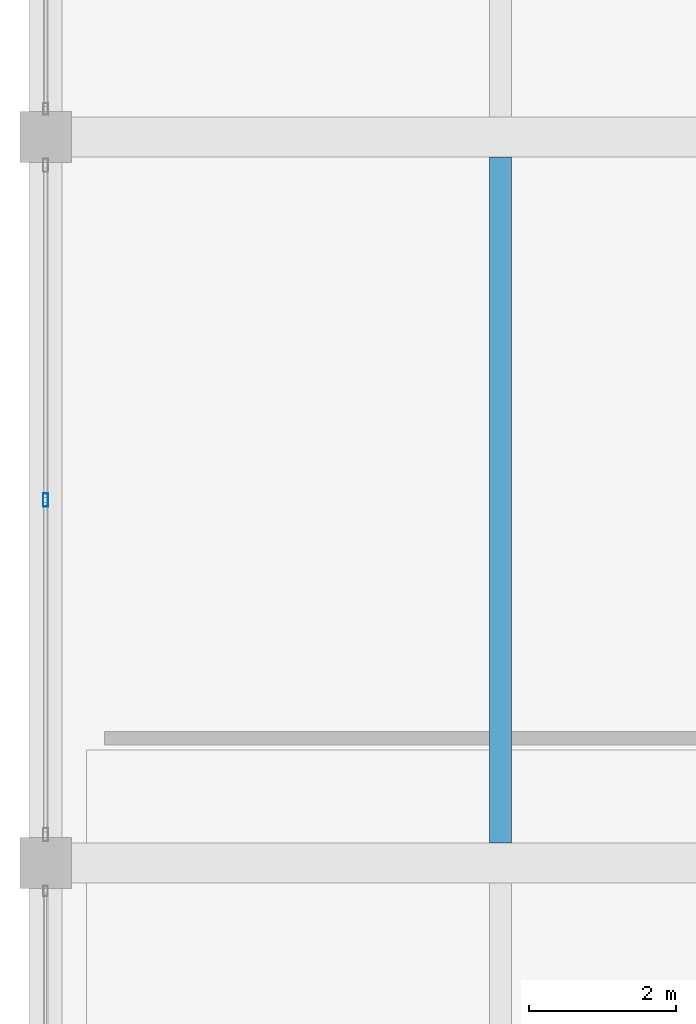
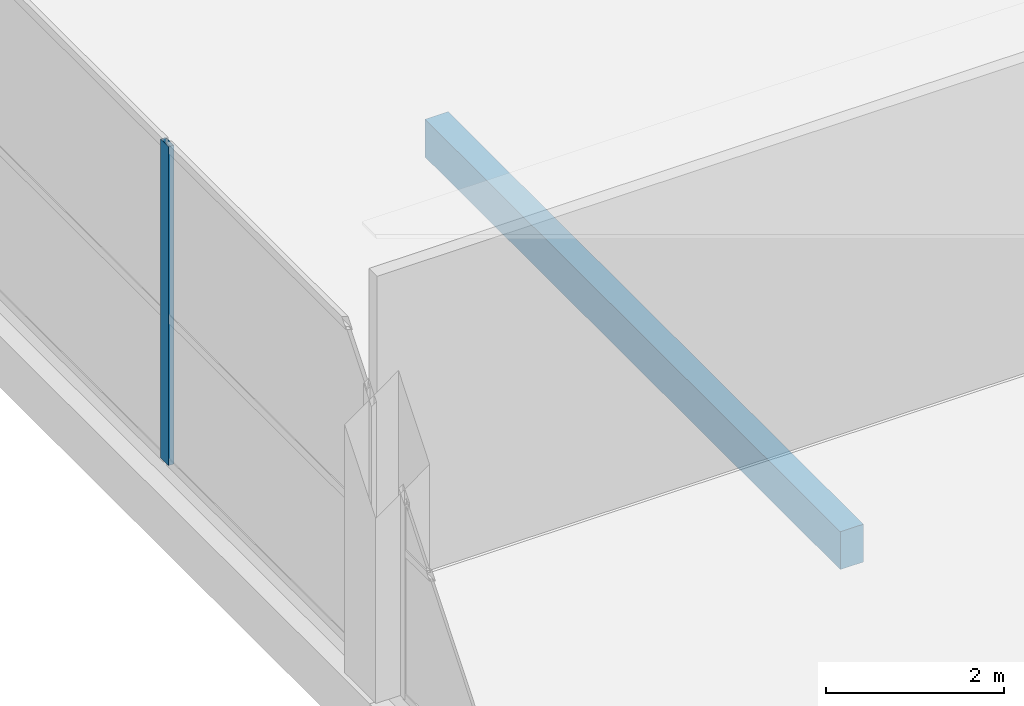
# One storey, part 18 of 72: 1 beam, 1 member, 1 element without a shape of its own.
"""IFC4 building model written with IfcOpenShell, lengths in metres."""

import ifcopenshell
import ifcopenshell.guid

model = None  # the IFC model being written
_history = None  # IfcOwnerHistory: only IFC2X3 demands one
_inside = {}  # id of a spatial element -> (the spatial element, [elements in it])
_under = {}  # id of a project, library or spatial element -> (it, [spatial elements below it])
_declared = {}  # id of a project -> (the project, [libraries it declares])
_typed = {}  # id of a type object -> (the type object, [elements of that type])
_made_of = {}  # id of a material, layer set ... -> (it, [elements and type objects made of it])


def new_model(schema):
    """Start an empty IFC model of exactly this schema.

    Asked for "IFC4X3", IfcOpenShell would pick the latest addendum, in which some entities
    have other attributes; the version numbers below select the first issue.
    IFC2X3 requires an IfcOwnerHistory on every rooted entity: one is made here for all.
    """
    global model, _history
    if schema == "IFC4X3":
        model = ifcopenshell.file(schema_version=(4, 3, 0, 0))
    else:
        model = ifcopenshell.file(schema=schema)
    _inside.clear()
    _under.clear()
    _declared.clear()
    _typed.clear()
    _made_of.clear()
    _history = None
    if model.schema == "IFC2X3":
        org = make("IfcOrganization", Name="unknown")
        user = make(
            "IfcPersonAndOrganization",
            ThePerson=make("IfcPerson", FamilyName="unknown"),
            TheOrganization=org,
        )
        app = make(
            "IfcApplication",
            ApplicationDeveloper=org,
            Version="unknown",
            ApplicationFullName="unknown",
            ApplicationIdentifier="unknown",
        )
        _history = make(
            "IfcOwnerHistory",
            OwningUser=user,
            OwningApplication=app,
            ChangeAction="ADDED",
            CreationDate=0,
        )
    return model


def make(cls, **values):
    """One entity of the class cls with the attributes given. An attribute that is None is left unset."""
    return model.create_entity(
        cls, **{name: value for name, value in values.items() if value is not None}
    )


def rooted(cls, **values):
    """An entity with a GlobalId (a new one), such as an element, a storey or a relation."""
    return make(cls, GlobalId=ifcopenshell.guid.new(), OwnerHistory=_history, **values)


def si_unit(unit_type, name, prefix=None):
    """IfcSIUnit, for example si_unit("LENGTHUNIT", "METRE", prefix="MILLI")."""
    return make("IfcSIUnit", UnitType=unit_type, Prefix=prefix, Name=name)


def assignment(units):
    """IfcUnitAssignment: the units of a project."""
    return None if units is None else make("IfcUnitAssignment", Units=units)


def point(xyz):
    """IfcCartesianPoint."""
    return None if xyz is None else make("IfcCartesianPoint", Coordinates=xyz)


def direction(xyz):
    """IfcDirection."""
    return None if xyz is None else make("IfcDirection", DirectionRatios=xyz)


def frame(location, z_axis=None, x_axis=None):
    """IfcAxis2Placement3D, a coordinate frame: its origin and axes. An axis left out is left unset."""
    return make(
        "IfcAxis2Placement3D",
        Location=point(location),
        Axis=direction(z_axis),
        RefDirection=direction(x_axis),
    )


def frame_2d(location, x_axis=None):
    """IfcAxis2Placement2D, a coordinate frame in the plane: its origin and x axis."""
    return make(
        "IfcAxis2Placement2D", Location=point(location), RefDirection=direction(x_axis)
    )


def origin():
    """The frame at (0, 0, 0) with its axes left unset."""
    return frame((0.0, 0.0, 0.0))


def origin_2d():
    """The frame at (0, 0) in the plane with its x axis left unset."""
    return frame_2d((0.0, 0.0))


def place(relative_to, where):
    """IfcLocalPlacement: puts the frame where relative to a parent placement (None: the world)."""
    return make(
        "IfcLocalPlacement", PlacementRelTo=relative_to, RelativePlacement=where
    )


def context(
    kind, dimensions, precision=None, world=None, true_north=None, identifier=None
):
    """IfcGeometricRepresentationContext, for example the 3D "Model" context."""
    return make(
        "IfcGeometricRepresentationContext",
        ContextIdentifier=identifier,
        ContextType=kind,
        CoordinateSpaceDimension=dimensions,
        Precision=precision,
        WorldCoordinateSystem=world,
        TrueNorth=true_north,
    )


def subcontext(parent, identifier, kind, view, scale=None):
    """IfcGeometricRepresentationSubContext, for example "Body" below "Model"."""
    return make(
        "IfcGeometricRepresentationSubContext",
        ContextIdentifier=identifier,
        ContextType=kind,
        ParentContext=parent,
        TargetScale=scale,
        TargetView=view,
    )


def project(units=None, contexts=None):
    """IfcProject with its units and contexts."""
    return rooted(
        "IfcProject",
        Name="project",
        RepresentationContexts=contexts,
        UnitsInContext=assignment(units),
    )


def spatial(cls, under=None, at=None, **own):
    """A site, building, storey or space (cls), placed at a placement, below another one or the project."""
    s = rooted(cls, ObjectPlacement=at, **own)
    if under is not None:
        _under.setdefault(under.id(), (under, []))[1].append(s)
    return s


def profile(cls, at=None, kind="AREA", **sizes):
    """A parametric profile (cls). Its sizes go by their IFC names, for example OverallWidth=200.0."""
    return make(cls, ProfileType=kind, Position=at, **sizes)


def rectangle(**sizes):
    """IfcRectangleProfileDef."""
    return profile("IfcRectangleProfileDef", **sizes)


def hollow_rectangle(**sizes):
    """IfcRectangleHollowProfileDef."""
    return profile("IfcRectangleHollowProfileDef", **sizes)


def extrude(swept, where, along, depth):
    """IfcExtrudedAreaSolid: the profile swept, set in the frame where, extruded along a direction by depth."""
    return make(
        "IfcExtrudedAreaSolid",
        SweptArea=swept,
        Position=where,
        ExtrudedDirection=direction(along),
        Depth=depth,
    )


def shape(context_of_items, identifier, shape_type, items):
    """IfcShapeRepresentation: the items that make up one representation, for example the "Body"."""
    return make(
        "IfcShapeRepresentation",
        ContextOfItems=context_of_items,
        RepresentationIdentifier=identifier,
        RepresentationType=shape_type,
        Items=items,
    )


def material(Name=None, Category=None):
    """IfcMaterial."""
    return make("IfcMaterial", Name=Name, Category=Category)


def layer(
    of_material, thickness, ventilated=None, Name=None, Category=None, Priority=None
):
    """IfcMaterialLayer: one layer of a wall or slab, of a material (None: an air gap)."""
    return make(
        "IfcMaterialLayer",
        Material=of_material,
        LayerThickness=thickness,
        IsVentilated=ventilated,
        Name=Name,
        Category=Category,
        Priority=Priority,
    )


def layer_set(layers, Name=None):
    """IfcMaterialLayerSet."""
    return make("IfcMaterialLayerSet", MaterialLayers=layers, LayerSetName=Name)


def material_profile(
    of_material, cross_section, Name=None, Category=None, Priority=None
):
    """IfcMaterialProfile: a cross section and its material."""
    return make(
        "IfcMaterialProfile",
        Name=Name,
        Material=of_material,
        Profile=cross_section,
        Priority=Priority,
        Category=Category,
    )


def profile_set(profiles, Name=None, composite=None):
    """IfcMaterialProfileSet."""
    return make(
        "IfcMaterialProfileSet",
        Name=Name,
        MaterialProfiles=profiles,
        CompositeProfile=composite,
    )


def made_of(thing, what):
    """Note that an element or type object is made of a material, layer set ...; save() writes the relation."""
    if what is not None:
        _made_of.setdefault(what.id(), (what, []))[1].append(thing)
    return thing


def type_object(cls, material=None, **own):
    """A type object (cls), such as IfcWallType, which elements share."""
    return made_of(rooted(cls, **own), material)


def element(
    cls,
    number,
    at=None,
    inside=None,
    cuts=None,
    type_object=None,
    material=None,
    context=None,
    identifier="Body",
    shape_type=None,
    held_by="IfcProductDefinitionShape",
    body=None,
    shapes=None,
    **own,
):
    """One element of the class cls, such as IfcWall. Its Tag is "e" and its number.

    at: its placement. inside: the storey or other place that contains it. cuts: it is an
    opening in that element (IfcRelVoidsElement). A single representation is given by context,
    identifier, shape_type and body (its items); several are given by shapes. held_by: the class
    of the entity that holds the representations. save() writes the other relations.
    """
    e = rooted(cls, Tag="e%d" % number, ObjectPlacement=at, **own)
    if body is not None:
        shapes = [shape(context, identifier, shape_type, body)]
    if shapes is not None:
        e.Representation = make(held_by, Representations=shapes)
    if inside is not None:
        _inside.setdefault(inside.id(), (inside, []))[1].append(e)
    if cuts is not None:
        rooted(
            "IfcRelVoidsElement", RelatingBuildingElement=cuts, RelatedOpeningElement=e
        )
    if type_object is not None:
        _typed.setdefault(type_object.id(), (type_object, []))[1].append(e)
    return made_of(e, material)


def aggregate(whole, parts):
    """IfcRelAggregates: a whole, such as a stair, and the parts it consists of."""
    return rooted("IfcRelAggregates", RelatingObject=whole, RelatedObjects=parts)


def save(model, path):
    """Write the relations noted so far, then the file.

    IfcRelAggregates (storeys below a building ...), IfcRelContainedInSpatialStructure (elements
    in a storey), IfcRelDefinesByType, IfcRelAssociatesMaterial and IfcRelDeclares: one each for
    every whole, place, type object, material and project.
    """
    for whole, parts in _under.values():
        aggregate(whole, parts)
    for where, things in _inside.values():
        rooted(
            "IfcRelContainedInSpatialStructure",
            RelatedElements=things,
            RelatingStructure=where,
        )
    for kind, things in _typed.values():
        rooted("IfcRelDefinesByType", RelatedObjects=things, RelatingType=kind)
    for what, things in _made_of.values():
        rooted("IfcRelAssociatesMaterial", RelatedObjects=things, RelatingMaterial=what)
    for by, libraries in _declared.values():
        rooted("IfcRelDeclares", RelatingContext=by, RelatedDefinitions=libraries)
    model.write(path)


model = new_model("IFC4")

# Units and contexts
model_context = context("Model", 3, precision=1e-05, world=origin(), true_north=direction((0.0, 1.0)))
body_context = subcontext(model_context, "Body", "Model", "MODEL_VIEW")
ifc_project = project(units=[si_unit("LENGTHUNIT", "METRE"), si_unit("AREAUNIT", "SQUARE_METRE"), si_unit("VOLUMEUNIT", "CUBIC_METRE"), si_unit("PLANEANGLEUNIT", "RADIAN"), si_unit("MASSUNIT", "GRAM", prefix="KILO")], contexts=[model_context])

# Site, building, storey
site_placement = place(None, origin())
site = spatial("IfcSite", under=ifc_project, at=site_placement, CompositionType="ELEMENT")
building_placement = place(site_placement, origin())
building = spatial("IfcBuilding", under=site, at=building_placement, Name="Sillaruma Civic Art Gallery", CompositionType="ELEMENT")
storey_placement = place(building_placement, frame((0.0, 0.0, 10.8798828125)))
storey = spatial("IfcBuildingStorey", under=building, at=storey_placement, Name="L02", CompositionType="ELEMENT", Elevation=10.8798828125)

# Beam
ifc_material_1 = material(Name="Concrete H35 (35 MPa)", Category="concrete")
ifc_material_profile_1 = material_profile(ifc_material_1, rectangle(XDim=0.300048828125, YDim=0.52001953125, at=origin_2d()), Name="RCB300x520")
ifc_profile_set_1 = profile_set([ifc_material_profile_1], Name="Concrete H35 (35 MPa)")
beam_type = type_object("IfcBeamType", Name="BM-JOIST-RCB300x520", PredefinedType="JOIST", material=ifc_profile_set_1)
beam_placement = place(storey_placement, frame((6.199951171875, 89.375, -0.519775390625), z_axis=(0.0, 1.0, 0.0), x_axis=(-1.0, 0.0, 0.0)))
element("IfcBeam", 1, at=beam_placement, inside=storey, type_object=beam_type, Name="Floor Joist JR-01 (L01:AB:10-11)", PredefinedType="JOIST", context=body_context, shape_type="SweptSolid", body=[
    extrude(rectangle(XDim=0.300048828125, YDim=0.52001953125, at=origin_2d()), origin(), (0.0, 0.0, 1.0), 9.35009765625),
])

# Curtain wall, member
ifc_material_2 = material(Name="Thermally Broken Extruded Aluminium 6063-T6", Category="aluminium")
ifc_layer = layer(ifc_material_2, 0.179931640625, Name="Thermally Broken Extruded Aluminium 6063-T6")
ifc_layer_set = layer_set([ifc_layer], Name="Thermally Broken Extruded Aluminium 6063-T6")
curtain_wall_type = type_object("IfcCurtainWallType", Name="CW-UNI-09", PredefinedType="NOTDEFINED", material=ifc_layer_set)
curtain_wall_placement = place(storey_placement, origin())
curtain_wall = element("IfcCurtainWall", 2, at=curtain_wall_placement, inside=storey, type_object=curtain_wall_type, Name="Unitised Curtain Wall CW-09 (CW-L02-WSTR-2)", PredefinedType="NOTDEFINED")
ifc_material_profile_2 = material_profile(ifc_material_2, hollow_rectangle(XDim=0.070068359375, YDim=0.179931640625, WallThickness=0.00390625, at=origin_2d()), Name="CWM70x180")
ifc_profile_set_2 = profile_set([ifc_material_profile_2], Name="Thermally Broken Extruded Aluminium 6063-T6")
member_type = type_object("IfcMemberType", Name="MEM-MUL-CWM70x180", PredefinedType="MULLION", material=ifc_profile_set_2)
member_placement = place(storey_placement, frame((0.0, 94.050048828125, 0.0), z_axis=(0.0, 0.0, 1.0), x_axis=(-1.0, 0.0, 0.0)))
member = element("IfcMember", 3, at=member_placement, type_object=member_type, Name="CW-09 mullion 2", PredefinedType="MULLION", context=body_context, shape_type="SweptSolid", body=[
    extrude(hollow_rectangle(XDim=0.070068359375, YDim=0.179931640625, WallThickness=0.00390625, at=origin_2d()), origin(), (0.0, 0.0, 1.0), 4.380126953125),
])
aggregate(curtain_wall, [member])

save(model, "model.ifc")
